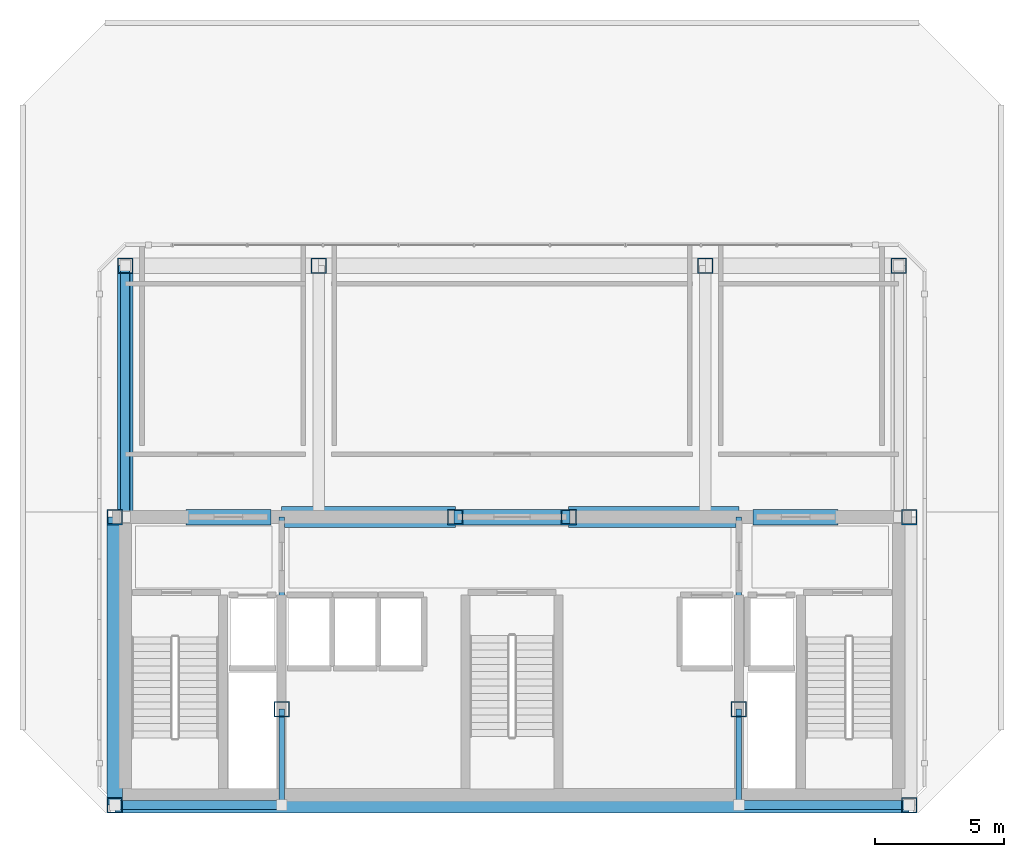
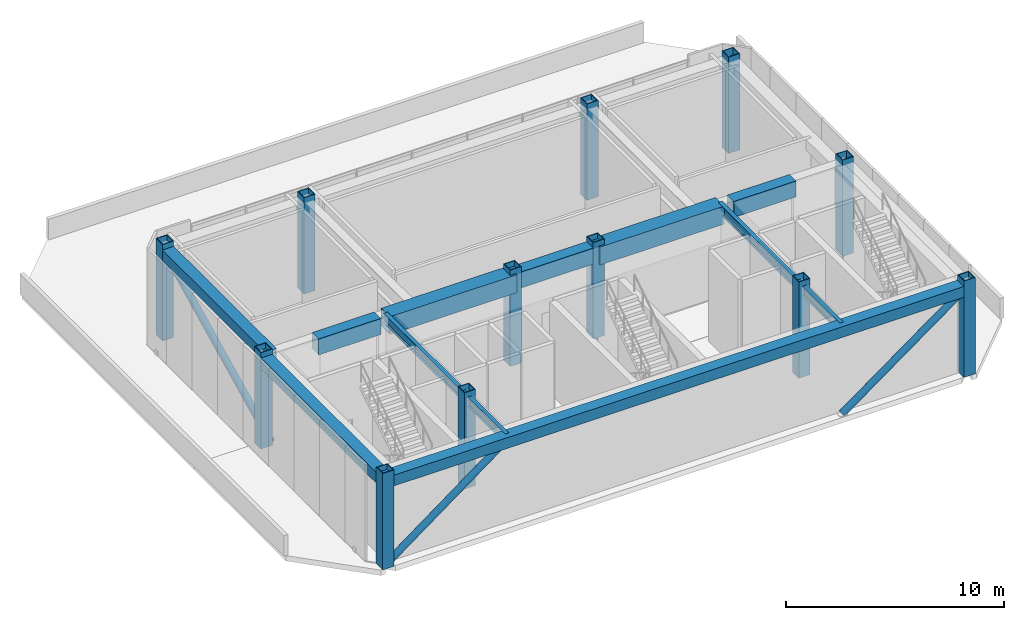
# One storey, part 1 of 11: 12 beams, 12 columns, 3 members.
"""IFC4 building model written with IfcOpenShell, lengths in metres."""

from ifc_helpers import new_model, si_unit, direction, frame, origin, origin_2d, place, context, subcontext, project, spatial, rectangle, hollow_rectangle, hollow_circle, i_section, extrude, material, material_profile, profile_set, type_object, element, save


model = new_model("IFC4")

# Units and contexts
model_context = context("Model", 3, precision=1e-05, world=origin(), true_north=direction((0.0, 1.0)))
body_context = subcontext(model_context, "Body", "Model", "MODEL_VIEW")
ifc_project = project(units=[si_unit("LENGTHUNIT", "METRE"), si_unit("AREAUNIT", "SQUARE_METRE"), si_unit("VOLUMEUNIT", "CUBIC_METRE"), si_unit("PLANEANGLEUNIT", "RADIAN"), si_unit("MASSUNIT", "GRAM", prefix="KILO")], contexts=[model_context])

# Site, building, storey
site_placement = place(None, origin())
site = spatial("IfcSite", under=ifc_project, at=site_placement, CompositionType="ELEMENT")
building_placement = place(site_placement, origin())
building = spatial("IfcBuilding", under=site, at=building_placement, Name="Ventersveld Concourse Tower", CompositionType="ELEMENT")
storey_placement = place(building_placement, frame((0.0, 0.0, 366.64990234375)))
storey = spatial("IfcBuildingStorey", under=building, at=storey_placement, Name="L90", CompositionType="ELEMENT", Elevation=366.64990234375)

# Columns
ifc_material_1 = material(Name="Structural steel S355ML", Category="steel")
ifc_material_profile_1 = material_profile(ifc_material_1, hollow_rectangle(XDim=0.60009765625, YDim=0.60009765625, WallThickness=0.0400390625, at=origin_2d()), Name="BOX 600x600x40")
ifc_profile_set_1 = profile_set([ifc_material_profile_1], Name="Structural steel S355ML")
column_type = type_object("IfcColumnType", Name="CF-POST-600", PredefinedType="USERDEFINED", material=ifc_profile_set_1)
for number, where, z_axis, x_axis, name in (
    (1, (13.35009765625, 0.280029296875, 0.0), (0.0, 0.0, 1.0), (1.0, 0.0, 0.0), "L90 Core Spine Column CC-SW"),
    (2, (44.14990234375, 0.280029296875, 0.0), (0.0, 0.0, 1.0), (1.0, 0.0, 0.0), "L90 Core Spine Column CC-SE"),
    (3, (13.35009765625, 11.449951171875, 0.0), (0.0, 0.0, 1.0), (1.0, 0.0, 0.0), "L90 Core Spine Column CC-NW"),
    (4, (44.14990234375, 11.449951171875, 0.0), (0.0, 0.0, 1.0), (1.0, 0.0, 0.0), "L90 Core Spine Column CC-NE"),
    (5, (19.820068359375, 4.0, 0.0), (0.0, 0.0, 1.0), (1.0, 0.0, 0.0), "L90 Core Spine Column CM-1"),
    (6, (37.550048828125, 4.0, 0.0), (0.0, 0.0, 1.0), (1.0, 0.0, 0.0), "L90 Core Spine Column CM-2"),
    (7, (26.550048828125, 11.449951171875, 0.0), (0.0, 0.0, 1.0), (1.0, 0.0, 0.0), "L90 Core Spine Column CM-3"),
    (8, (30.949951171875, 11.449951171875, 0.0), (0.0, 0.0, 1.0), (1.0, 0.0, 0.0), "L90 Core Spine Column CM-4"),
    (9, (13.75, 21.199951171875, 0.0), (0.0, 0.0, 1.0), (1.0, 0.0, 0.0), "L90 Crown Frame Structural Post CF-NW"),
    (10, (21.25, 21.199951171875, 0.0), (0.0, 0.0, 1.0), (1.0, 0.0, 0.0), "L90 Crown Frame Structural Post CF-NCW"),
    (11, (36.25, 21.199951171875, 0.0), (0.0, 0.0, 1.0), (1.0, 0.0, 0.0), "L90 Crown Frame Structural Post CF-NCE"),
    (12, (43.75, 21.199951171875, 0.0), (0.0, 0.0, 1.0), (1.0, 0.0, 0.0), "L90 Crown Frame Structural Post CF-NE"),
):
    element("IfcColumn", number, at=place(storey_placement, frame(where, z_axis=z_axis, x_axis=x_axis)), inside=storey, type_object=column_type, Name=name, ObjectType="CROWN_FRAME", PredefinedType="USERDEFINED", context=body_context, shape_type="SweptSolid", body=[
        extrude(hollow_rectangle(XDim=0.60009765625, YDim=0.60009765625, WallThickness=0.0400390625, at=origin_2d()), origin(), (0.0, 0.0, 1.0), 5.400146484375),
    ])

# Beams
ifc_material_2 = material(Name="Concrete C50/60", Category="concrete")
ifc_material_profile_2 = material_profile(ifc_material_2, rectangle(XDim=0.60009765625, YDim=0.89990234375, at=origin_2d()), Name="RC 600x900")
ifc_profile_set_2 = profile_set([ifc_material_profile_2], Name="Concrete C50/60")
beam_type_1 = type_object("IfcBeamType", Name="CB-RC600x900U", PredefinedType="LINTEL", material=ifc_profile_set_2)
beam_1_placement = place(storey_placement, frame((16.10009765625, 11.449951171875, 4.650146484375), z_axis=(1.0, 0.0, 0.0), x_axis=(0.0, 1.0, 0.0)))
element("IfcBeam", 13, at=beam_1_placement, inside=storey, type_object=beam_type_1, Name="L90 Core Coupling Lintel Beam 1", PredefinedType="LINTEL", context=body_context, shape_type="SweptSolid", body=[
    extrude(rectangle(XDim=0.60009765625, YDim=0.89990234375, at=origin_2d()), origin(), (0.0, 0.0, 1.0), 3.2998046875),
])
beam_2_placement = place(storey_placement, frame((26.5, 11.449951171875, 4.650146484375), z_axis=(1.0, 0.0, 0.0), x_axis=(0.0, 1.0, 0.0)))
element("IfcBeam", 14, at=beam_2_placement, inside=storey, type_object=beam_type_1, Name="L90 Core Coupling Lintel Beam 2", PredefinedType="LINTEL", context=body_context, shape_type="SweptSolid", body=[
    extrude(rectangle(XDim=0.60009765625, YDim=0.89990234375, at=origin_2d()), origin(), (0.0, 0.0, 1.0), 4.5),
])
beam_3_placement = place(storey_placement, frame((38.10009765625, 11.449951171875, 4.650146484375), z_axis=(1.0, 0.0, 0.0), x_axis=(0.0, 1.0, 0.0)))
element("IfcBeam", 15, at=beam_3_placement, inside=storey, type_object=beam_type_1, Name="L90 Core Coupling Lintel Beam 3", PredefinedType="LINTEL", context=body_context, shape_type="SweptSolid", body=[
    extrude(rectangle(XDim=0.60009765625, YDim=0.89990234375, at=origin_2d()), origin(), (0.0, 0.0, 1.0), 3.2998046875),
])

# Members
ifc_material_profile_3 = material_profile(ifc_material_1, hollow_circle(Radius=0.177734375, WallThickness=0.01611328125, at=origin_2d()), Name="CHS 355.6x16")
ifc_profile_set_3 = profile_set([ifc_material_profile_3], Name="Structural steel S355ML")
member_type = type_object("IfcMemberType", Name="CF-BR-355", PredefinedType="BRACE", material=ifc_profile_set_3)
member_1_placement = place(storey_placement, frame((13.35009765625, 0.280029296875, 0.0), z_axis=(0.803112997434, 0.0, 0.595826747766), x_axis=(0.0, 1.0, 0.0)))
element("IfcMember", 16, at=member_1_placement, inside=storey, type_object=member_type, Name="L90 CROWN FRAME Wind Brace 1", PredefinedType="BRACE", context=body_context, shape_type="SweptSolid", body=[
    extrude(hollow_circle(Radius=0.177734375, WallThickness=0.01611328125, at=origin_2d()), origin(), (0.0, 0.0, 1.0), 8.05615234375),
])
member_2_placement = place(storey_placement, frame((37.550048828125, 0.280029296875, 0.0), z_axis=(0.808727028466, 0.0, 0.58818414925), x_axis=(0.0, 1.0, 0.0)))
element("IfcMember", 17, at=member_2_placement, inside=storey, type_object=member_type, Name="L90 CROWN FRAME Wind Brace 2", PredefinedType="BRACE", context=body_context, shape_type="SweptSolid", body=[
    extrude(hollow_circle(Radius=0.177734375, WallThickness=0.01611328125, at=origin_2d()), origin(), (0.0, 0.0, 1.0), 8.160888671875),
])
member_3_placement = place(storey_placement, frame((13.75, 11.449951171875, 0.0), z_axis=(0.0, 0.897168895597, 0.441687641635), x_axis=(-1.0, 0.0, 0.0)))
element("IfcMember", 18, at=member_3_placement, inside=storey, type_object=member_type, Name="L90 CROWN FRAME Wind Brace 3", PredefinedType="BRACE", context=body_context, shape_type="SweptSolid", body=[
    extrude(hollow_circle(Radius=0.177734375, WallThickness=0.01611328125, at=origin_2d()), origin(), (0.0, 0.0, 1.0), 10.867431640625),
])

# Beams
ifc_material_3 = material(Name="Structural steel S355J2", Category="steel")
ifc_material_profile_4 = material_profile(ifc_material_3, i_section(OverallWidth=0.2119140625, OverallDepth=0.54443359375, WebThickness=0.0126953125, FlangeThickness=0.021240234375, FilletRadius=0.0126953125, at=origin_2d()), Name="UB 533x210x122")
ifc_profile_set_4 = profile_set([ifc_material_profile_4], Name="Structural steel S355J2")
beam_type_2 = type_object("IfcBeamType", Name="GRD-UB533H", PredefinedType="T_BEAM", material=ifc_profile_set_4)
beam_4_placement = place(storey_placement, frame((19.820068359375, 0.280029296875, 4.827880859375), z_axis=(0.0, 1.0, 0.0), x_axis=(-1.0, 0.0, 0.0)))
element("IfcBeam", 19, at=beam_4_placement, inside=storey, type_object=beam_type_2, Name="L90 Core Spine N-S Tie Beam W1", PredefinedType="T_BEAM", context=body_context, shape_type="SweptSolid", body=[
    extrude(i_section(OverallWidth=0.2119140625, OverallDepth=0.54443359375, WebThickness=0.0126953125, FlangeThickness=0.021240234375, FilletRadius=0.0126953125, at=origin_2d()), origin(), (0.0, 0.0, 1.0), 3.719970703125),
])
beam_5_placement = place(storey_placement, frame((19.820068359375, 4.0, 4.827880859375), z_axis=(0.0, 1.0, 0.0), x_axis=(-1.0, 0.0, 0.0)))
element("IfcBeam", 20, at=beam_5_placement, inside=storey, type_object=beam_type_2, Name="L90 Core Spine N-S Tie Beam W2", PredefinedType="T_BEAM", context=body_context, shape_type="SweptSolid", body=[
    extrude(i_section(OverallWidth=0.2119140625, OverallDepth=0.54443359375, WebThickness=0.0126953125, FlangeThickness=0.021240234375, FilletRadius=0.0126953125, at=origin_2d()), origin(), (0.0, 0.0, 1.0), 7.449951171875),
])
beam_6_placement = place(storey_placement, frame((37.550048828125, 0.280029296875, 4.827880859375), z_axis=(0.0, 1.0, 0.0), x_axis=(-1.0, 0.0, 0.0)))
element("IfcBeam", 21, at=beam_6_placement, inside=storey, type_object=beam_type_2, Name="L90 Core Spine N-S Tie Beam E1", PredefinedType="T_BEAM", context=body_context, shape_type="SweptSolid", body=[
    extrude(i_section(OverallWidth=0.2119140625, OverallDepth=0.54443359375, WebThickness=0.0126953125, FlangeThickness=0.021240234375, FilletRadius=0.0126953125, at=origin_2d()), origin(), (0.0, 0.0, 1.0), 3.719970703125),
])
beam_7_placement = place(storey_placement, frame((37.550048828125, 4.0, 4.827880859375), z_axis=(0.0, 1.0, 0.0), x_axis=(-1.0, 0.0, 0.0)))
element("IfcBeam", 22, at=beam_7_placement, inside=storey, type_object=beam_type_2, Name="L90 Core Spine N-S Tie Beam E2", PredefinedType="T_BEAM", context=body_context, shape_type="SweptSolid", body=[
    extrude(i_section(OverallWidth=0.2119140625, OverallDepth=0.54443359375, WebThickness=0.0126953125, FlangeThickness=0.021240234375, FilletRadius=0.0126953125, at=origin_2d()), origin(), (0.0, 0.0, 1.0), 7.449951171875),
])
ifc_material_profile_5 = material_profile(ifc_material_1, hollow_rectangle(XDim=0.60009765625, YDim=0.60009765625, WallThickness=0.0400390625, at=origin_2d()), Name="BOX 600x600x40")
ifc_profile_set_5 = profile_set([ifc_material_profile_5], Name="Structural steel S355ML")
beam_type_3 = type_object("IfcBeamType", Name="SPD-BOX600", PredefinedType="SPANDREL", material=ifc_profile_set_5)
beam_8_placement = place(storey_placement, frame((13.35009765625, 0.280029296875, 4.800048828125), z_axis=(1.0, 0.0, 0.0), x_axis=(0.0, 1.0, 0.0)))
element("IfcBeam", 23, at=beam_8_placement, inside=storey, type_object=beam_type_3, Name="L90 CROWN FRAME Perimeter Ring Beam 1", PredefinedType="SPANDREL", context=body_context, shape_type="SweptSolid", body=[
    extrude(hollow_rectangle(XDim=0.60009765625, YDim=0.60009765625, WallThickness=0.0400390625, at=origin_2d()), origin(), (0.0, 0.0, 1.0), 30.7998046875),
])
beam_9_placement = place(storey_placement, frame((13.75, 21.199951171875, 4.800048828125), z_axis=(0.0, -1.0, 0.0), x_axis=(1.0, 0.0, 0.0)))
element("IfcBeam", 24, at=beam_9_placement, inside=storey, type_object=beam_type_3, Name="L90 CROWN FRAME Perimeter Ring Beam 7", PredefinedType="SPANDREL", context=body_context, shape_type="SweptSolid", body=[
    extrude(hollow_rectangle(XDim=0.60009765625, YDim=0.60009765625, WallThickness=0.0400390625, at=origin_2d()), origin(), (0.0, 0.0, 1.0), 9.75),
])
beam_10_placement = place(storey_placement, frame((13.35009765625, 11.449951171875, 4.800048828125), z_axis=(0.0, -1.0, 0.0), x_axis=(1.0, 0.0, 0.0)))
element("IfcBeam", 25, at=beam_10_placement, inside=storey, type_object=beam_type_3, Name="L90 CROWN FRAME Perimeter Ring Beam 8", PredefinedType="SPANDREL", context=body_context, shape_type="SweptSolid", body=[
    extrude(hollow_rectangle(XDim=0.60009765625, YDim=0.60009765625, WallThickness=0.0400390625, at=origin_2d()), origin(), (0.0, 0.0, 1.0), 11.169921875),
])
ifc_material_4 = material(Name="Structural steel S460ML", Category="steel")
ifc_material_profile_6 = material_profile(ifc_material_4, hollow_rectangle(XDim=0.800048828125, YDim=1.0, WallThickness=0.06494140625, at=origin_2d()), Name="BOX 1000x800x65")
ifc_profile_set_6 = profile_set([ifc_material_profile_6], Name="Structural steel S460ML")
beam_type_4 = type_object("IfcBeamType", Name="TG-BOX1000", PredefinedType="USERDEFINED", material=ifc_profile_set_6)
beam_11_placement = place(storey_placement, frame((19.820068359375, 11.449951171875, 4.60009765625), z_axis=(1.0, 0.0, 0.0), x_axis=(0.0, 1.0, 0.0)))
element("IfcBeam", 26, at=beam_11_placement, inside=storey, type_object=beam_type_4, Name="L90 Mast North Grillage Beam W", ObjectType="TRANSFER_GIRDER", PredefinedType="USERDEFINED", context=body_context, shape_type="SweptSolid", body=[
    extrude(hollow_rectangle(XDim=0.800048828125, YDim=1.0, WallThickness=0.06494140625, at=origin_2d()), origin(), (0.0, 0.0, 1.0), 6.72998046875),
])
beam_12_placement = place(storey_placement, frame((30.949951171875, 11.449951171875, 4.60009765625), z_axis=(1.0, 0.0, 0.0), x_axis=(0.0, 1.0, 0.0)))
element("IfcBeam", 27, at=beam_12_placement, inside=storey, type_object=beam_type_4, Name="L90 Mast North Grillage Beam E", ObjectType="TRANSFER_GIRDER", PredefinedType="USERDEFINED", context=body_context, shape_type="SweptSolid", body=[
    extrude(hollow_rectangle(XDim=0.800048828125, YDim=1.0, WallThickness=0.06494140625, at=origin_2d()), origin(), (0.0, 0.0, 1.0), 6.60009765625),
])

save(model, "model.ifc")
